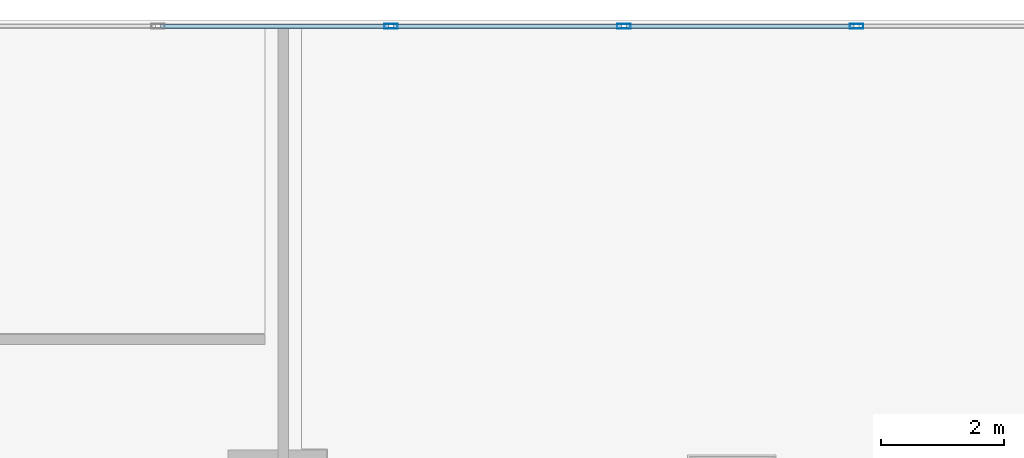
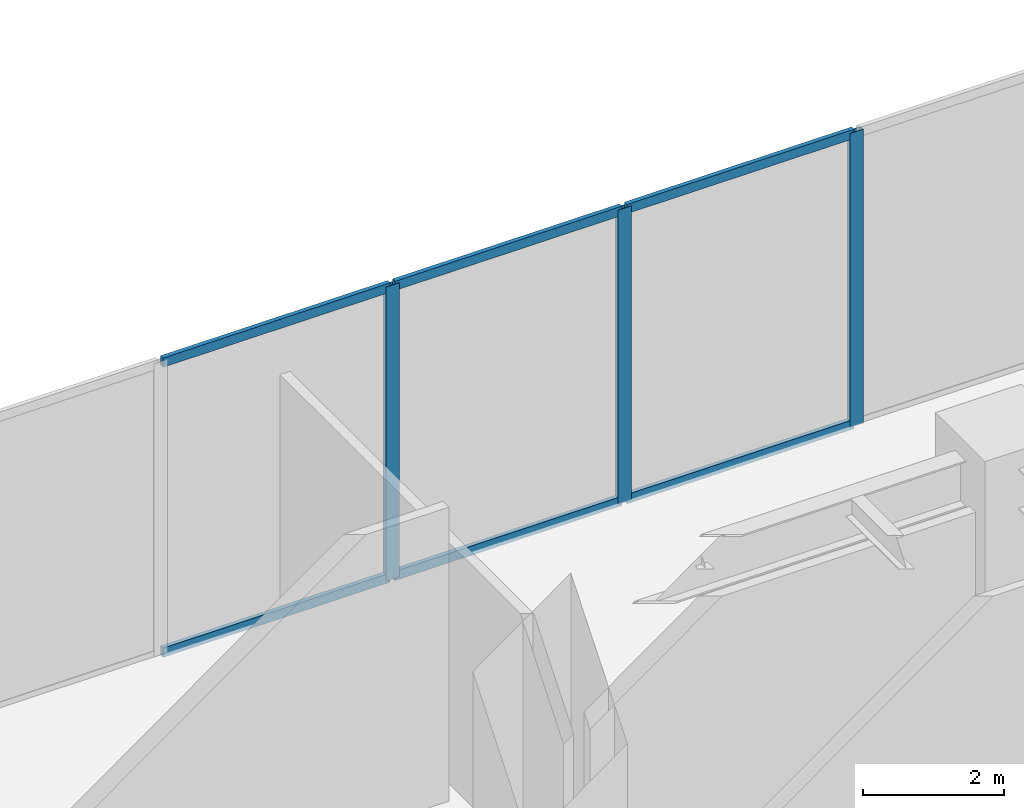
# One storey, part 18 of 35: 9 members, 1 element without a shape of its own.
"""IFC4 building model written with IfcOpenShell, lengths in metres."""

from ifc_helpers import new_model, si_unit, direction, frame, origin, origin_2d, place, context, subcontext, project, spatial, hollow_rectangle, extrude, source, transform, mapped, material, layer, layer_set, material_profile, profile_set, type_object, type_shapes, element, aggregate, save


model = new_model("IFC4")

# Units and contexts
model_context = context("Model", 3, precision=1e-05, world=origin(), true_north=direction((0.0, 1.0)))
body_context = subcontext(model_context, "Body", "Model", "MODEL_VIEW")
ifc_project = project(units=[si_unit("LENGTHUNIT", "METRE"), si_unit("AREAUNIT", "SQUARE_METRE"), si_unit("VOLUMEUNIT", "CUBIC_METRE"), si_unit("PLANEANGLEUNIT", "RADIAN"), si_unit("MASSUNIT", "GRAM", prefix="KILO")], contexts=[model_context])

# Site, building, storey
site_placement = place(None, origin())
site = spatial("IfcSite", under=ifc_project, at=site_placement, CompositionType="ELEMENT")
building_placement = place(site_placement, origin())
building = spatial("IfcBuilding", under=site, at=building_placement, Name="Haelvirn Gate Laboratories", CompositionType="ELEMENT")
storey_placement = place(building_placement, frame((0.0, 0.0, 19.800048828125)))
storey = spatial("IfcBuildingStorey", under=building, at=storey_placement, Name="L05", CompositionType="ELEMENT", Elevation=19.800048828125)

# Curtain wall, members
ifc_material_1 = material(Name="Anodised bronze unitised aluminium & triple low-E glass", Category="aluminium")
ifc_layer = layer(ifc_material_1, 0.18798828125, Name="CW-SYS-1")
ifc_layer_set = layer_set([ifc_layer], Name="Anodised bronze unitised aluminium & triple low-E glass")
curtain_wall_type = type_object("IfcCurtainWallType", Name="CW-SYS-1", PredefinedType="NOTDEFINED", material=ifc_layer_set)
curtain_wall_placement = place(storey_placement, origin())
curtain_wall = element("IfcCurtainWall", 1, at=curtain_wall_placement, inside=storey, type_object=curtain_wall_type, Name="L05 Unitised Curtain Wall CW-L05-P0-E06-1", PredefinedType="NOTDEFINED")
ifc_material_2 = material(Name="Extruded aluminium 6063-T6 (anodised bronze)", Category="aluminium")
ifc_material_profile_1 = material_profile(ifc_material_2, hollow_rectangle(XDim=0.080078125, YDim=0.219970703125, WallThickness=0.006103515625, at=origin_2d()), Name="CWM-220x80x6")
ifc_profile_set_1 = profile_set([ifc_material_profile_1], Name="Extruded aluminium 6063-T6 (anodised bronze)")
member_type_1 = type_object("IfcMemberType", Name="CWM-T220", PredefinedType="MULLION", material=ifc_profile_set_1)
shared_shape_1 = source(origin(), body_context, "Body", "SweptSolid", [
    extrude(hollow_rectangle(XDim=0.080078125, YDim=0.219970703125, WallThickness=0.006103515625, at=origin_2d()), origin(), (0.0, 0.0, 1.0), 5.079833984375),
])
type_shapes(member_type_1, [shared_shape_1])
member_1_placement = place(storey_placement, frame((54.45263671875, 49.300048828125, 0.0), z_axis=(0.0, 0.0, 1.0), x_axis=(0.0, 1.0, 0.0)))
member_1 = element("IfcMember", 2, at=member_1_placement, type_object=member_type_1, Name="CW1 mullion 15", PredefinedType="MULLION", context=body_context, shape_type="MappedRepresentation", body=[
    mapped(shared_shape_1, transform((0.0, 0.0, 0.0), scale=1.0)),
])
member_2_placement = place(storey_placement, frame((58.2421875, 49.300048828125, 0.0), z_axis=(0.0, 0.0, 1.0), x_axis=(0.0, 1.0, 0.0)))
member_2 = element("IfcMember", 3, at=member_2_placement, type_object=member_type_1, Name="CW1 mullion 16", PredefinedType="MULLION", context=body_context, shape_type="MappedRepresentation", body=[
    mapped(shared_shape_1, transform((0.0, 0.0, 0.0), scale=1.0)),
])
member_3_placement = place(storey_placement, frame((62.031494140625, 49.300048828125, 0.0), z_axis=(0.0, 0.0, 1.0), x_axis=(0.0, 1.0, 0.0)))
member_3 = element("IfcMember", 4, at=member_3_placement, type_object=member_type_1, Name="CW1 mullion 17", PredefinedType="MULLION", context=body_context, shape_type="MappedRepresentation", body=[
    mapped(shared_shape_1, transform((0.0, 0.0, 0.0), scale=1.0)),
])
ifc_material_profile_2 = material_profile(ifc_material_2, hollow_rectangle(XDim=0.070068359375, YDim=0.159912109375, WallThickness=0.0048828125, at=origin_2d()), Name="CWT-160x70x5")
ifc_profile_set_2 = profile_set([ifc_material_profile_2], Name="Extruded aluminium 6063-T6 (anodised bronze)")
member_type_2 = type_object("IfcMemberType", Name="CWT-T160", PredefinedType="USERDEFINED", material=ifc_profile_set_2)
shared_shape_2 = source(origin(), body_context, "Body", "SweptSolid", [
    extrude(hollow_rectangle(XDim=0.070068359375, YDim=0.159912109375, WallThickness=0.0048828125, at=origin_2d()), origin(), (0.0, 0.0, 1.0), 3.70947265625),
])
type_shapes(member_type_2, [shared_shape_2])
member_4_placement = place(storey_placement, frame((50.703125, 49.300048828125, 0.034912109375), z_axis=(1.0, 0.0, 0.0), x_axis=(0.0, 1.0, 0.0)))
member_4 = element("IfcMember", 5, at=member_4_placement, type_object=member_type_2, Name="CW1 transom 14.1", ObjectType="TRANSOM", PredefinedType="USERDEFINED", context=body_context, shape_type="MappedRepresentation", body=[
    mapped(shared_shape_2, transform((0.0, 0.0, 0.0), scale=1.0)),
])
member_5_placement = place(storey_placement, frame((50.703125, 49.300048828125, 5.044921875), z_axis=(1.0, 0.0, 0.0), x_axis=(0.0, 1.0, 0.0)))
member_5 = element("IfcMember", 6, at=member_5_placement, type_object=member_type_2, Name="CW1 transom 14.2", ObjectType="TRANSOM", PredefinedType="USERDEFINED", context=body_context, shape_type="MappedRepresentation", body=[
    mapped(shared_shape_2, transform((0.0, 0.0, 0.0), scale=1.0)),
])
member_6_placement = place(storey_placement, frame((54.49267578125, 49.300048828125, 0.034912109375), z_axis=(1.0, 0.0, 0.0), x_axis=(0.0, 1.0, 0.0)))
member_6 = element("IfcMember", 7, at=member_6_placement, type_object=member_type_2, Name="CW1 transom 15.1", ObjectType="TRANSOM", PredefinedType="USERDEFINED", context=body_context, shape_type="MappedRepresentation", body=[
    mapped(shared_shape_2, transform((0.0, 0.0, 0.0), scale=1.0)),
])
member_7_placement = place(storey_placement, frame((54.49267578125, 49.300048828125, 5.044921875), z_axis=(1.0, 0.0, 0.0), x_axis=(0.0, 1.0, 0.0)))
member_7 = element("IfcMember", 8, at=member_7_placement, type_object=member_type_2, Name="CW1 transom 15.2", ObjectType="TRANSOM", PredefinedType="USERDEFINED", context=body_context, shape_type="MappedRepresentation", body=[
    mapped(shared_shape_2, transform((0.0, 0.0, 0.0), scale=1.0)),
])
member_8_placement = place(storey_placement, frame((58.2822265625, 49.300048828125, 0.034912109375), z_axis=(1.0, 0.0, 0.0), x_axis=(0.0, 1.0, 0.0)))
member_8 = element("IfcMember", 9, at=member_8_placement, type_object=member_type_2, Name="CW1 transom 16.1", ObjectType="TRANSOM", PredefinedType="USERDEFINED", context=body_context, shape_type="MappedRepresentation", body=[
    mapped(shared_shape_2, transform((0.0, 0.0, 0.0), scale=1.0)),
])
member_9_placement = place(storey_placement, frame((58.2822265625, 49.300048828125, 5.044921875), z_axis=(1.0, 0.0, 0.0), x_axis=(0.0, 1.0, 0.0)))
member_9 = element("IfcMember", 10, at=member_9_placement, type_object=member_type_2, Name="CW1 transom 16.2", ObjectType="TRANSOM", PredefinedType="USERDEFINED", context=body_context, shape_type="MappedRepresentation", body=[
    mapped(shared_shape_2, transform((0.0, 0.0, 0.0), scale=1.0)),
])
aggregate(curtain_wall, [member_1, member_2, member_3, member_4, member_5, member_6, member_7, member_8, member_9])

save(model, "model.ifc")
